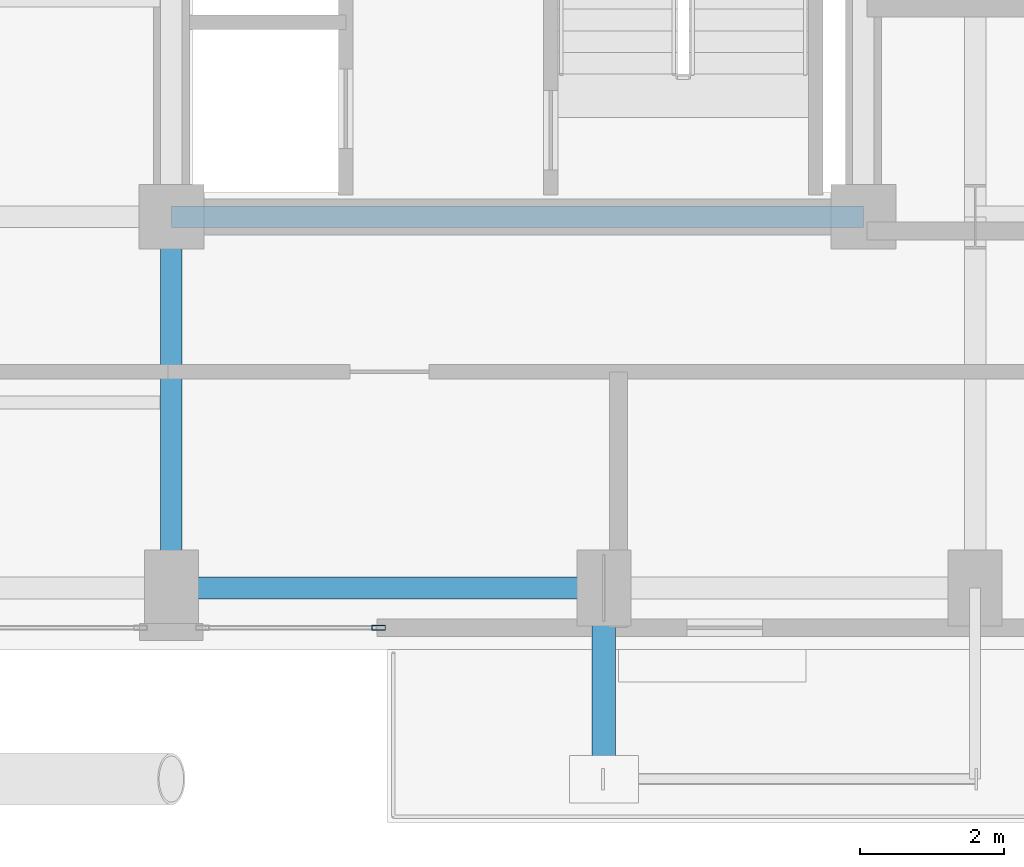
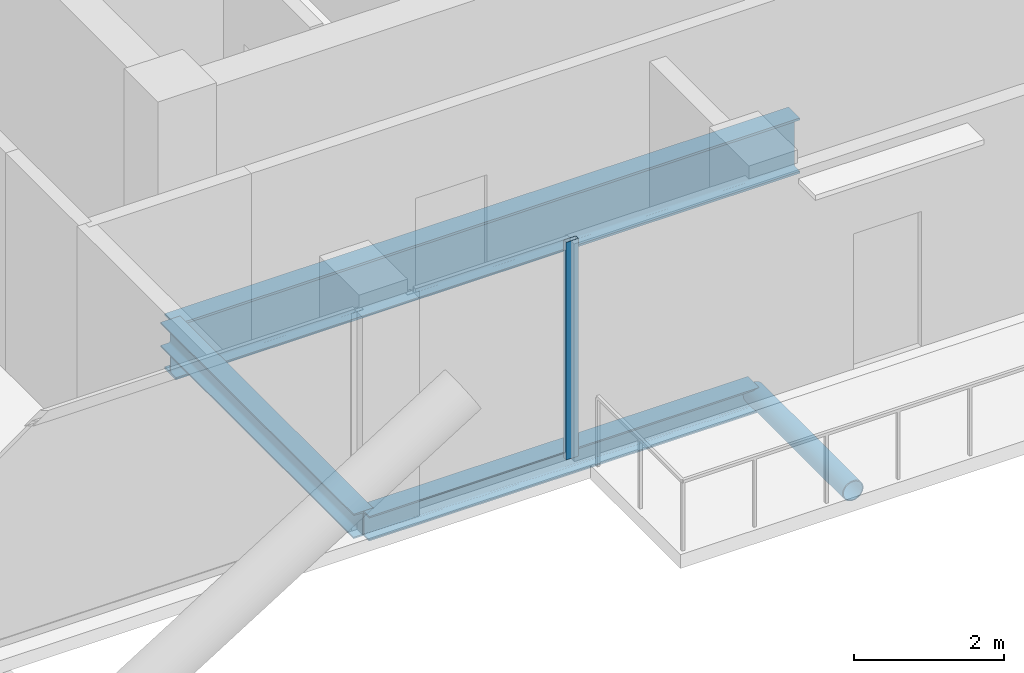
# One storey, part 5 of 26: 3 beams, 2 members, 1 element without a shape of its own.
"""IFC4 building model written with IfcOpenShell, lengths in metres."""

from ifc_helpers import new_model, si_unit, direction, frame, origin, origin_2d, place, context, subcontext, project, spatial, hollow_rectangle, hollow_circle, i_section, extrude, material, layer, layer_set, material_profile, profile_set, type_object, element, aggregate, save


model = new_model("IFC4")

# Units and contexts
model_context = context("Model", 3, precision=1e-05, world=origin(), true_north=direction((0.0, 1.0)))
body_context = subcontext(model_context, "Body", "Model", "MODEL_VIEW")
ifc_project = project(units=[si_unit("LENGTHUNIT", "METRE"), si_unit("AREAUNIT", "SQUARE_METRE"), si_unit("VOLUMEUNIT", "CUBIC_METRE"), si_unit("PLANEANGLEUNIT", "RADIAN"), si_unit("MASSUNIT", "GRAM", prefix="KILO"), si_unit("THERMODYNAMICTEMPERATUREUNIT", "KELVIN"), si_unit("POWERUNIT", "WATT")], contexts=[model_context])

# Site, building, storey
site_placement = place(None, origin())
site = spatial("IfcSite", under=ifc_project, at=site_placement, CompositionType="ELEMENT")
building_placement = place(site_placement, origin())
building = spatial("IfcBuilding", under=site, at=building_placement, Name="Svarakhadi Broadcast Tower", CompositionType="ELEMENT")
storey_placement = place(building_placement, frame((0.0, 0.0, 180.449951171875)))
storey = spatial("IfcBuildingStorey", under=building, at=storey_placement, Name="L44", CompositionType="ELEMENT", Elevation=180.449951171875)

# Curtain wall, member
ifc_material_1 = material(Name="Anodised Bronze Aluminium AA 6063-T6", Category="aluminium")
ifc_layer = layer(ifc_material_1, 0.18994140625)
ifc_layer_set = layer_set([ifc_layer], Name="Anodised Bronze Aluminium AA 6063-T6")
curtain_wall_type = type_object("IfcCurtainWallType", Name="CW_Sys_04", PredefinedType="NOTDEFINED", material=ifc_layer_set)
curtain_wall_placement = place(storey_placement, origin())
curtain_wall = element("IfcCurtainWall", 1, at=curtain_wall_placement, inside=storey, type_object=curtain_wall_type, Name="L44 South Curtain Wall 17 Bay 1", PredefinedType="NOTDEFINED")
ifc_material_profile_1 = material_profile(ifc_material_1, hollow_rectangle(XDim=0.070068359375, YDim=0.18994140625, WallThickness=0.005615234375, at=origin_2d()), Name="ALU MULLION 190x70x6")
ifc_profile_set_1 = profile_set([ifc_material_profile_1], Name="Anodised Bronze Aluminium AA 6063-T6")
member_type_1 = type_object("IfcMemberType", Name="CW_Sys_04_Mul", PredefinedType="MULLION", material=ifc_profile_set_1)
member_1_placement = place(storey_placement, frame((26.875, 0.300048828125, 0.0), z_axis=(0.0, 0.0, 1.0), x_axis=(0.0, -1.0, 0.0)))
member_1 = element("IfcMember", 2, at=member_1_placement, type_object=member_type_1, Name="CW-04 mullion 1", PredefinedType="MULLION", context=body_context, shape_type="SweptSolid", body=[
    extrude(hollow_rectangle(XDim=0.070068359375, YDim=0.18994140625, WallThickness=0.005615234375, at=origin_2d()), origin(), (0.0, 0.0, 1.0), 3.5400390625),
])
aggregate(curtain_wall, [member_1])

# Member
ifc_material_2 = material(Name="Steel S460ML (IS 2062 E450BR)", Category="steel")
ifc_material_profile_2 = material_profile(ifc_material_2, hollow_circle(Radius=0.161865234375, WallThickness=0.01611328125, at=origin_2d()), Name="CHS 323.9x16")
ifc_profile_set_2 = profile_set([ifc_material_profile_2], Name="Steel S460ML (IS 2062 E450BR)")
member_type_2 = type_object("IfcMemberType", Name="Exo_Radial_Strut_Z2", PredefinedType="STRUT", material=ifc_profile_set_2)
member_2_placement = place(storey_placement, frame((30.0, -1.800048828125, -0.371826171875), z_axis=(0.0, 1.0, 0.0), x_axis=(-1.0, 0.0, 0.0)))
element("IfcMember", 3, at=member_2_placement, inside=storey, type_object=member_type_2, Name="L44 Exoskeleton Radial Tie Strut S03", PredefinedType="STRUT", context=body_context, shape_type="SweptSolid", body=[
    extrude(hollow_circle(Radius=0.161865234375, WallThickness=0.01611328125, at=origin_2d()), origin(), (0.0, 0.0, 1.0), 2.650146484375),
])

# Beams
ifc_material_3 = material(Name="Steel S355J2 (IS 2062 E350C)", Category="steel")
ifc_material_profile_3 = material_profile(ifc_material_3, i_section(OverallWidth=0.300048828125, OverallDepth=0.39990234375, WebThickness=0.013427734375, FlangeThickness=0.02392578125, FilletRadius=0.027099609375, at=origin_2d()), Name="WPB 400x300x155")
ifc_profile_set_3 = profile_set([ifc_material_profile_3], Name="Steel S355J2 (IS 2062 E350C)")
beam_type_1 = type_object("IfcBeamType", Name="Girder_WPB400", PredefinedType="USERDEFINED", material=ifc_profile_set_3)
beam_1_placement = place(storey_placement, frame((24.0, 0.85009765625, -0.409912109375), z_axis=(1.0, 0.0, 0.0), x_axis=(0.0, 1.0, 0.0)))
element("IfcBeam", 4, at=beam_1_placement, inside=storey, type_object=beam_type_1, Name="L44 Primary E-W Girder G007", ObjectType="GIRDER", PredefinedType="USERDEFINED", context=body_context, shape_type="SweptSolid", body=[
    extrude(i_section(OverallWidth=0.300048828125, OverallDepth=0.39990234375, WebThickness=0.013427734375, FlangeThickness=0.02392578125, FilletRadius=0.027099609375, at=origin_2d()), origin(), (0.0, 0.0, 1.0), 6.0),
])
beam_2_placement = place(storey_placement, frame((24.0, 0.85009765625, -0.409912109375), z_axis=(0.0, 1.0, 0.0), x_axis=(-1.0, 0.0, 0.0)))
element("IfcBeam", 5, at=beam_2_placement, inside=storey, type_object=beam_type_1, Name="L44 Primary N-S Girder G051", ObjectType="GIRDER", PredefinedType="USERDEFINED", context=body_context, shape_type="SweptSolid", body=[
    extrude(i_section(OverallWidth=0.300048828125, OverallDepth=0.39990234375, WebThickness=0.013427734375, FlangeThickness=0.02392578125, FilletRadius=0.027099609375, at=origin_2d()), origin(), (0.0, 0.0, 1.0), 5.14990234375),
])
ifc_material_profile_4 = material_profile(ifc_material_2, i_section(OverallWidth=0.300048828125, OverallDepth=0.89990234375, WebThickness=0.0185546875, FlangeThickness=0.034912109375, FilletRadius=0.030029296875, at=origin_2d()), Name="WPB 900x300x291")
ifc_profile_set_4 = profile_set([ifc_material_profile_4], Name="Steel S460ML (IS 2062 E450BR)")
beam_type_2 = type_object("IfcBeamType", Name="Girder_WPB900", PredefinedType="USERDEFINED", material=ifc_profile_set_4)
beam_3_placement = place(storey_placement, frame((24.0, 6.0, -0.659912109375), z_axis=(1.0, 0.0, 0.0), x_axis=(0.0, 1.0, 0.0)))
element("IfcBeam", 6, at=beam_3_placement, inside=storey, type_object=beam_type_2, Name="L44 Primary E-W Girder G013", ObjectType="GIRDER", PredefinedType="USERDEFINED", context=body_context, shape_type="SweptSolid", body=[
    extrude(i_section(OverallWidth=0.300048828125, OverallDepth=0.89990234375, WebThickness=0.0185546875, FlangeThickness=0.034912109375, FilletRadius=0.030029296875, at=origin_2d()), origin(), (0.0, 0.0, 1.0), 9.60009765625),
])

save(model, "model.ifc")
